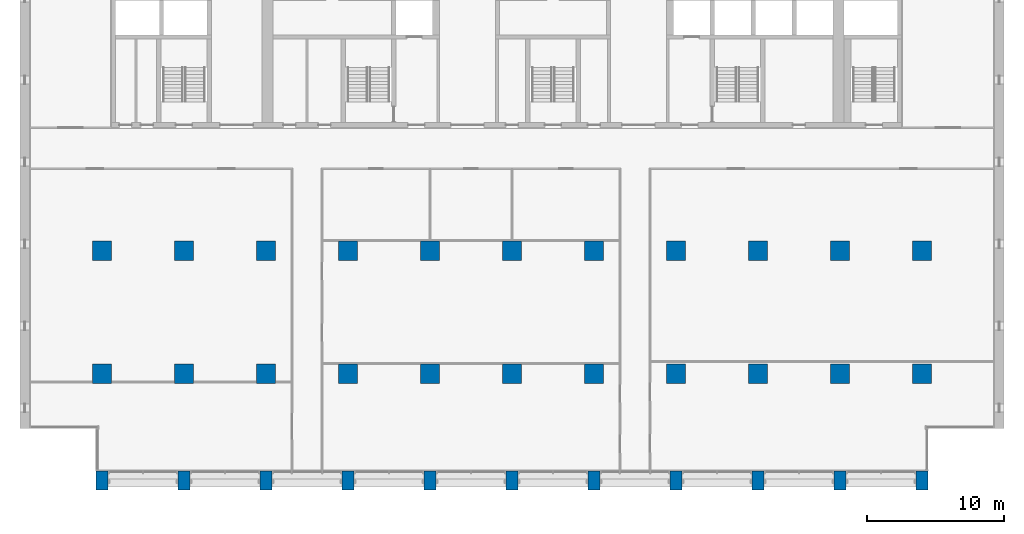
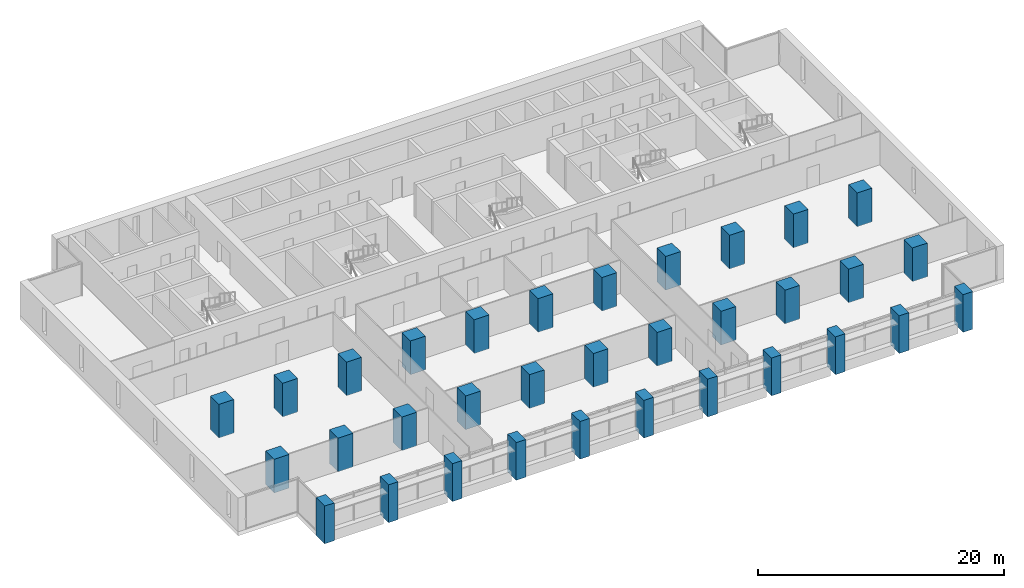
# One storey, part 1 of 15: 33 columns.
"""IFC4 building model written with IfcOpenShell, lengths in metres."""

from ifc_helpers import new_model, si_unit, direction, frame, origin, origin_2d, place, context, subcontext, project, spatial, rectangle, extrude, material, material_profile, profile_set, type_object, element, save


model = new_model("IFC4")

# Units and contexts
model_context = context("Model", 3, precision=1e-05, world=origin(), true_north=direction((0.0, 1.0)))
body_context = subcontext(model_context, "Body", "Model", "MODEL_VIEW")
ifc_project = project(units=[si_unit("LENGTHUNIT", "METRE"), si_unit("AREAUNIT", "SQUARE_METRE"), si_unit("VOLUMEUNIT", "CUBIC_METRE"), si_unit("PLANEANGLEUNIT", "RADIAN"), si_unit("MASSUNIT", "GRAM", prefix="KILO")], contexts=[model_context])

# Site, building, storey
site_placement = place(None, origin())
site = spatial("IfcSite", under=ifc_project, at=site_placement, CompositionType="ELEMENT")
building_placement = place(site_placement, origin())
building = spatial("IfcBuilding", under=site, at=building_placement, Name="Calvaro Tower", CompositionType="ELEMENT")
storey_placement = place(building_placement, frame((0.0, 0.0, 110.0)))
storey = spatial("IfcBuildingStorey", under=building, at=storey_placement, Name="L27", CompositionType="ELEMENT", Elevation=110.0)

# Columns
ifc_material_1 = material(Name="Concrete C60/75", Category="concrete")
ifc_material_profile_1 = material_profile(ifc_material_1, rectangle(XDim=1.39990234375, YDim=1.39990234375, at=origin_2d()), Name="RC 1400x1400")
ifc_profile_set_1 = profile_set([ifc_material_profile_1], Name="Concrete C60/75")
column_type_1 = type_object("IfcColumnType", Name="Column 1400x1400 C60/75", PredefinedType="COLUMN", material=ifc_profile_set_1)
for number, where, z_axis, x_axis, name in (
    (1, (6.0, 10.0, 0.0), (0.0, 0.0, 1.0), (1.0, 0.0, 0.0), "Column 2B"),
    (2, (6.0, 19.0, 0.0), (0.0, 0.0, 1.0), (1.0, 0.0, 0.0), "Column 2C"),
    (3, (12.0, 10.0, 0.0), (0.0, 0.0, 1.0), (1.0, 0.0, 0.0), "Column 3B"),
    (4, (12.0, 19.0, 0.0), (0.0, 0.0, 1.0), (1.0, 0.0, 0.0), "Column 3C"),
    (5, (18.0, 10.0, 0.0), (0.0, 0.0, 1.0), (1.0, 0.0, 0.0), "Column 4B"),
    (6, (18.0, 19.0, 0.0), (0.0, 0.0, 1.0), (1.0, 0.0, 0.0), "Column 4C"),
    (7, (24.0, 10.0, 0.0), (0.0, 0.0, 1.0), (1.0, 0.0, 0.0), "Column 5B"),
    (8, (24.0, 19.0, 0.0), (0.0, 0.0, 1.0), (1.0, 0.0, 0.0), "Column 5C"),
    (9, (30.0, 10.0, 0.0), (0.0, 0.0, 1.0), (1.0, 0.0, 0.0), "Column 6B"),
    (10, (30.0, 19.0, 0.0), (0.0, 0.0, 1.0), (1.0, 0.0, 0.0), "Column 6C"),
    (11, (36.0, 10.0, 0.0), (0.0, 0.0, 1.0), (1.0, 0.0, 0.0), "Column 7B"),
    (12, (36.0, 19.0, 0.0), (0.0, 0.0, 1.0), (1.0, 0.0, 0.0), "Column 7C"),
    (13, (42.0, 10.0, 0.0), (0.0, 0.0, 1.0), (1.0, 0.0, 0.0), "Column 8B"),
    (14, (42.0, 19.0, 0.0), (0.0, 0.0, 1.0), (1.0, 0.0, 0.0), "Column 8C"),
    (15, (48.0, 10.0, 0.0), (0.0, 0.0, 1.0), (1.0, 0.0, 0.0), "Column 9B"),
    (16, (48.0, 19.0, 0.0), (0.0, 0.0, 1.0), (1.0, 0.0, 0.0), "Column 9C"),
    (17, (54.0, 10.0, 0.0), (0.0, 0.0, 1.0), (1.0, 0.0, 0.0), "Column 10B"),
    (18, (54.0, 19.0, 0.0), (0.0, 0.0, 1.0), (1.0, 0.0, 0.0), "Column 10C"),
    (19, (60.0, 10.0, 0.0), (0.0, 0.0, 1.0), (1.0, 0.0, 0.0), "Column 11B"),
    (20, (60.0, 19.0, 0.0), (0.0, 0.0, 1.0), (1.0, 0.0, 0.0), "Column 11C"),
    (21, (66.0, 10.0, 0.0), (0.0, 0.0, 1.0), (1.0, 0.0, 0.0), "Column 12B"),
    (22, (66.0, 19.0, 0.0), (0.0, 0.0, 1.0), (1.0, 0.0, 0.0), "Column 12C"),
):
    element("IfcColumn", number, at=place(storey_placement, frame(where, z_axis=z_axis, x_axis=x_axis)), inside=storey, type_object=column_type_1, Name=name, PredefinedType="COLUMN", context=body_context, shape_type="SweptSolid", body=[
        extrude(rectangle(XDim=1.39990234375, YDim=1.39990234375, at=origin_2d()), origin(), (0.0, 0.0, 1.0), 3.35009765625),
    ])
ifc_material_2 = material(Name="Concrete C60/75", Category="concrete")
ifc_material_profile_2 = material_profile(ifc_material_2, rectangle(XDim=0.89990234375, YDim=1.39990234375, at=origin_2d()), Name="RC 900x1400")
ifc_profile_set_2 = profile_set([ifc_material_profile_2], Name="Concrete C60/75")
column_type_2 = type_object("IfcColumnType", Name="Pier 900x1400 C60/75", PredefinedType="COLUMN", material=ifc_profile_set_2)
for number, where, z_axis, x_axis, name in (
    (23, (6.0, 2.199951171875, -0.39990234375), (0.0, 0.0, 1.0), (1.0, 0.0, 0.0), "South pier 2"),
    (24, (12.0, 2.199951171875, -0.39990234375), (0.0, 0.0, 1.0), (1.0, 0.0, 0.0), "South pier 3"),
    (25, (18.0, 2.199951171875, -0.39990234375), (0.0, 0.0, 1.0), (1.0, 0.0, 0.0), "South pier 4"),
    (26, (24.0, 2.199951171875, -0.39990234375), (0.0, 0.0, 1.0), (1.0, 0.0, 0.0), "South pier 5"),
    (27, (30.0, 2.199951171875, -0.39990234375), (0.0, 0.0, 1.0), (1.0, 0.0, 0.0), "South pier 6"),
    (28, (36.0, 2.199951171875, -0.39990234375), (0.0, 0.0, 1.0), (1.0, 0.0, 0.0), "South pier 7"),
    (29, (42.0, 2.199951171875, -0.39990234375), (0.0, 0.0, 1.0), (1.0, 0.0, 0.0), "South pier 8"),
    (30, (48.0, 2.199951171875, -0.39990234375), (0.0, 0.0, 1.0), (1.0, 0.0, 0.0), "South pier 9"),
    (31, (54.0, 2.199951171875, -0.39990234375), (0.0, 0.0, 1.0), (1.0, 0.0, 0.0), "South pier 10"),
    (32, (60.0, 2.199951171875, -0.39990234375), (0.0, 0.0, 1.0), (1.0, 0.0, 0.0), "South pier 11"),
    (33, (66.0, 2.199951171875, -0.39990234375), (0.0, 0.0, 1.0), (1.0, 0.0, 0.0), "South pier 12"),
):
    element("IfcColumn", number, at=place(storey_placement, frame(where, z_axis=z_axis, x_axis=x_axis)), inside=storey, type_object=column_type_2, Name=name, PredefinedType="COLUMN", context=body_context, shape_type="SweptSolid", body=[
        extrude(rectangle(XDim=0.89990234375, YDim=1.39990234375, at=origin_2d()), origin(), (0.0, 0.0, 1.0), 3.75),
    ])

save(model, "model.ifc")
